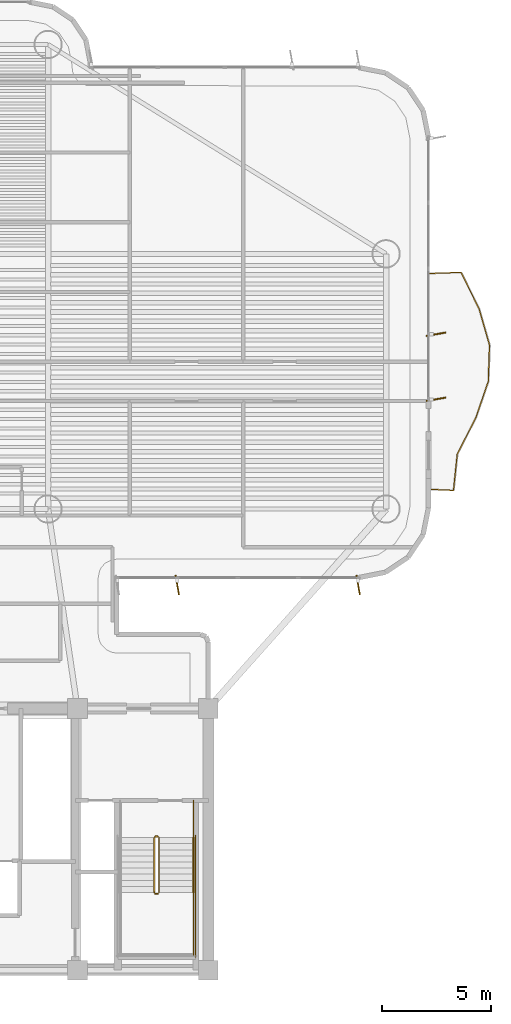
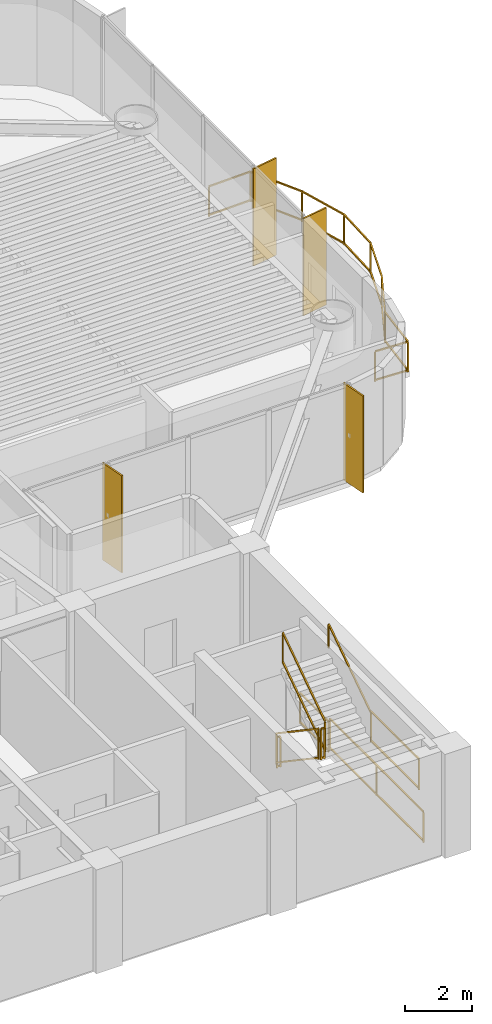
# One storey, part 15 of 16: 9 railings, 4 shading devices.
"""IFC4 building model written with IfcOpenShell, lengths in metres."""

from ifc_helpers import new_model, si_unit, direction, frame, origin, origin_2d, place, context, subcontext, project, spatial, rectangle, extrude, source, transform, mapped, material, layer, layer_set, material_profile, profile_set, type_object, element, save


model = new_model("IFC4")

# Units and contexts
model_context = context("Model", 3, precision=1e-05, world=origin(), true_north=direction((0.0, 1.0)))
body_context = subcontext(model_context, "Body", "Model", "MODEL_VIEW")
ifc_project = project(units=[si_unit("LENGTHUNIT", "METRE"), si_unit("AREAUNIT", "SQUARE_METRE"), si_unit("VOLUMEUNIT", "CUBIC_METRE"), si_unit("PLANEANGLEUNIT", "RADIAN"), si_unit("MASSUNIT", "GRAM", prefix="KILO")], contexts=[model_context])

# Site, building, storey
site_placement = place(None, origin())
site = spatial("IfcSite", under=ifc_project, at=site_placement, CompositionType="ELEMENT")
building_placement = place(site_placement, origin())
building = spatial("IfcBuilding", under=site, at=building_placement, Name="Brelvock Crest Care Tower", CompositionType="ELEMENT")
storey_placement = place(building_placement, frame((0.0, 0.0, 101.159912109375)))
storey = spatial("IfcBuildingStorey", under=building, at=storey_placement, Name="L25", CompositionType="ELEMENT", Elevation=101.159912109375)

# Railings
ifc_material_1 = material(Name="Dark Glass Double Glazed Low-E", Category="glass")
ifc_layer_1 = layer(ifc_material_1, 0.06005859375, Name="RL-BAL1")
ifc_layer_set_1 = layer_set([ifc_layer_1], Name="Dark Glass Double Glazed Low-E")
railing_type_1 = type_object("IfcRailingType", Name="RL-BAL1", PredefinedType="BALUSTRADE", material=ifc_layer_set_1)
railing_1_placement = place(storey_placement, frame((58.139892578125, 28.050048828125, 0.004150390625)))
element("IfcRailing", 1, at=railing_1_placement, inside=storey, type_object=railing_type_1, Name="L25 Safety Balustrade WB-E", PredefinedType="BALUSTRADE", context=body_context, shape_type="SweptSolid", body=[
    extrude(rectangle(XDim=0.048095703125, YDim=0.048095703125, at=origin_2d()), frame((0.001953125, 0.0, 1.09619140625), z_axis=(0.998966710972, -0.045447886318, 0.0), x_axis=(0.045447886318, 0.998966710972, 0.0)), (0.0, 0.0, 1.0), 1.09716796875),
    extrude(rectangle(XDim=0.048095703125, YDim=0.048095703125, at=origin_2d()), frame((0.001953125, 0.0, 0.054931640625), z_axis=(0.998966710972, -0.045447886318, 0.0), x_axis=(0.045447886318, 0.998966710972, 0.0)), (0.0, 0.0, 1.0), 1.09716796875),
    extrude(rectangle(XDim=0.048095703125, YDim=0.048095703125, at=origin_2d()), frame((1.100341796875, -0.048095703125, 1.09619140625), z_axis=(0.103729188721, 0.994605577808, 0.0), x_axis=(-0.994605577808, 0.103729188721, 0.0)), (0.0, 0.0, 1.0), 1.671875),
    extrude(rectangle(XDim=0.048095703125, YDim=0.048095703125, at=origin_2d()), frame((1.100341796875, -0.048095703125, 0.054931640625), z_axis=(0.103729188721, 0.994605577808, 0.0), x_axis=(-0.994605577808, 0.103729188721, 0.0)), (0.0, 0.0, 1.0), 1.671875),
    extrude(rectangle(XDim=0.048095703125, YDim=0.048095703125, at=origin_2d()), frame((1.27490234375, 1.618408203125, 1.09619140625), z_axis=(0.454816788854, 0.890585026023, 0.0), x_axis=(-0.890585026023, 0.454816788854, 0.0)), (0.0, 0.0, 1.0), 1.8671875),
    extrude(rectangle(XDim=0.048095703125, YDim=0.048095703125, at=origin_2d()), frame((1.27490234375, 1.618408203125, 0.054931640625), z_axis=(0.454816788854, 0.890585026023, 0.0), x_axis=(-0.890585026023, 0.454816788854, 0.0)), (0.0, 0.0, 1.0), 1.8671875),
    extrude(rectangle(XDim=0.048095703125, YDim=0.048095703125, at=origin_2d()), frame((2.125732421875, 3.28515625, 1.09619140625), z_axis=(0.324735154132, 0.945804990297, 0.0), x_axis=(-0.945804990297, 0.324735154132, 0.0)), (0.0, 0.0, 1.0), 1.75830078125),
    extrude(rectangle(XDim=0.048095703125, YDim=0.048095703125, at=origin_2d()), frame((2.125732421875, 3.28515625, 0.054931640625), z_axis=(0.324735154132, 0.945804990297, 0.0), x_axis=(-0.945804990297, 0.324735154132, 0.0)), (0.0, 0.0, 1.0), 1.75830078125),
    extrude(rectangle(XDim=0.048095703125, YDim=0.048095703125, at=origin_2d()), frame((2.697265625, 4.951904296875, 1.09619140625), z_axis=(0.034109333385, 0.999418107388, 0.0), x_axis=(-0.999418107388, 0.034109333385, 0.0)), (0.0, 0.0, 1.0), 1.663818359375),
    extrude(rectangle(XDim=0.048095703125, YDim=0.048095703125, at=origin_2d()), frame((2.697265625, 4.951904296875, 0.054931640625), z_axis=(0.034109333385, 0.999418107388, 0.0), x_axis=(-0.999418107388, 0.034109333385, 0.0)), (0.0, 0.0, 1.0), 1.663818359375),
    extrude(rectangle(XDim=0.048095703125, YDim=0.048095703125, at=origin_2d()), frame((2.753662109375, 6.61865234375, 1.09619140625), z_axis=(-0.277935062116, 0.960599865317, 0.0), x_axis=(-0.960599865317, -0.277935062116, 0.0)), (0.0, 0.0, 1.0), 1.73095703125),
    extrude(rectangle(XDim=0.048095703125, YDim=0.048095703125, at=origin_2d()), frame((2.753662109375, 6.61865234375, 0.054931640625), z_axis=(-0.277935062116, 0.960599865317, 0.0), x_axis=(-0.960599865317, -0.277935062116, 0.0)), (0.0, 0.0, 1.0), 1.73095703125),
    extrude(rectangle(XDim=0.048095703125, YDim=0.048095703125, at=origin_2d()), frame((2.27099609375, 8.284912109375, 1.09619140625), z_axis=(-0.442214310765, 0.896909417586, 0.0), x_axis=(-0.896909417586, -0.442214310765, 0.0)), (0.0, 0.0, 1.0), 1.854248046875),
    extrude(rectangle(XDim=0.048095703125, YDim=0.048095703125, at=origin_2d()), frame((2.27099609375, 8.284912109375, 0.054931640625), z_axis=(-0.442214310765, 0.896909417586, 0.0), x_axis=(-0.896909417586, -0.442214310765, 0.0)), (0.0, 0.0, 1.0), 1.854248046875),
    extrude(rectangle(XDim=0.048095703125, YDim=0.048095703125, at=origin_2d()), frame((1.4482421875, 9.949951171875, 1.09619140625), z_axis=(-0.999404999824, -0.034491249994, 0.0), x_axis=(0.034491249994, -0.999404999824, 0.0)), (0.0, 0.0, 1.0), 1.447021484375),
    extrude(rectangle(XDim=0.048095703125, YDim=0.048095703125, at=origin_2d()), frame((1.4482421875, 9.949951171875, 0.054931640625), z_axis=(-0.999404999824, -0.034491249994, 0.0), x_axis=(0.034491249994, -0.999404999824, 0.0)), (0.0, 0.0, 1.0), 1.447021484375),
    extrude(rectangle(XDim=0.0419921875, YDim=0.0419921875, at=origin_2d()), origin(), (0.0, 0.0, 1.0), 1.070068359375),
    extrude(rectangle(XDim=0.0419921875, YDim=0.0419921875, at=origin_2d()), frame((1.10009765625, -0.050048828125, 0.0)), (0.0, 0.0, 1.0), 1.070068359375),
    extrude(rectangle(XDim=0.0419921875, YDim=0.0419921875, at=origin_2d()), frame((1.27392578125, 1.61669921875, 0.0)), (0.0, 0.0, 1.0), 1.070068359375),
    extrude(rectangle(XDim=0.0419921875, YDim=0.0419921875, at=origin_2d()), frame((2.125, 3.283203125, 0.0)), (0.0, 0.0, 1.0), 1.070068359375),
    extrude(rectangle(XDim=0.0419921875, YDim=0.0419921875, at=origin_2d()), frame((2.697265625, 4.949951171875, 0.0)), (0.0, 0.0, 1.0), 1.070068359375),
    extrude(rectangle(XDim=0.0419921875, YDim=0.0419921875, at=origin_2d()), frame((2.754150390625, 6.61669921875, 0.0)), (0.0, 0.0, 1.0), 1.070068359375),
    extrude(rectangle(XDim=0.0419921875, YDim=0.0419921875, at=origin_2d()), frame((2.27197265625, 8.283203125, 0.0)), (0.0, 0.0, 1.0), 1.070068359375),
    extrude(rectangle(XDim=0.0419921875, YDim=0.0419921875, at=origin_2d()), frame((1.4501953125, 9.949951171875, 0.0)), (0.0, 0.0, 1.0), 1.070068359375),
    extrude(rectangle(XDim=0.0419921875, YDim=0.0419921875, at=origin_2d()), frame((0.0, 9.89990234375, 0.0)), (0.0, 0.0, 1.0), 1.070068359375),
])
ifc_material_2 = material(Name="Steel Grade 350", Category="steel")
ifc_layer_2 = layer(ifc_material_2, 0.050048828125, Name="RL-STG1")
ifc_layer_set_2 = layer_set([ifc_layer_2], Name="Steel Grade 350")
railing_type_2 = type_object("IfcRailingType", Name="RL-STG1", PredefinedType="GUARDRAIL", material=ifc_layer_set_2)
railing_2_placement = place(storey_placement, frame((45.52001953125, 12.080078125, 0.189208984375)))
element("IfcRailing", 2, at=railing_2_placement, inside=storey, type_object=railing_type_2, Name="L25 ST-2 stair guard 1", PredefinedType="GUARDRAIL", context=body_context, shape_type="SweptSolid", body=[
    extrude(rectangle(XDim=0.048095703125, YDim=0.048095703125, at=origin_2d()), frame((0.0, -0.001708984375, 1.116943359375), z_axis=(0.0, -0.828861706735, 0.559453546873), x_axis=(1.0, 0.0, 0.0)), (0.0, 0.0, 1.0), 3.036376953125),
    extrude(rectangle(XDim=0.048095703125, YDim=0.048095703125, at=origin_2d()), frame((0.0, -0.001708984375, 0.05615234375), z_axis=(0.0, -0.828861706735, 0.559453546873), x_axis=(1.0, 0.0, 0.0)), (0.0, 0.0, 1.0), 3.036376953125),
    extrude(rectangle(XDim=0.0419921875, YDim=0.0419921875, at=origin_2d()), origin(), (0.0, 0.0, 1.0), 1.08984375),
    extrude(rectangle(XDim=0.0419921875, YDim=0.0419921875, at=origin_2d()), frame((0.0, -2.52001953125, 1.700927734375)), (0.0, 0.0, 1.0), 1.08984375),
])
railing_3_placement = place(storey_placement, frame((45.570068359375, 9.510009765625, 1.89013671875)))
element("IfcRailing", 3, at=railing_3_placement, inside=storey, type_object=railing_type_2, Name="L25 ST-2 stair guard 2", PredefinedType="GUARDRAIL", context=body_context, shape_type="SweptSolid", body=[
    extrude(rectangle(XDim=0.048095703125, YDim=0.048095703125, at=origin_2d()), frame((0.001953125, 0.0, 1.11572265625), z_axis=(1.0, 0.0, 0.0), x_axis=(0.0, 1.0, 0.0)), (0.0, 0.0, 1.0), 0.115966796875),
    extrude(rectangle(XDim=0.048095703125, YDim=0.048095703125, at=origin_2d()), frame((0.001953125, 0.0, 0.054931640625), z_axis=(1.0, 0.0, 0.0), x_axis=(0.0, 1.0, 0.0)), (0.0, 0.0, 1.0), 0.115966796875),
    extrude(rectangle(XDim=0.0419921875, YDim=0.0419921875, at=origin_2d()), origin(), (0.0, 0.0, 1.0), 1.08984375),
    extrude(rectangle(XDim=0.0419921875, YDim=0.0419921875, at=origin_2d()), frame((0.119873046875, 0.0, 0.0)), (0.0, 0.0, 1.0), 1.08984375),
])
railing_4_placement = place(storey_placement, frame((47.320068359375, 9.56005859375, 1.89013671875)))
element("IfcRailing", 4, at=railing_4_placement, inside=storey, type_object=railing_type_2, Name="L25 ST-2 stair guard 4", PredefinedType="GUARDRAIL", context=body_context, shape_type="SweptSolid", body=[
    extrude(rectangle(XDim=0.048095703125, YDim=0.048095703125, at=origin_2d()), frame((0.0, -0.001953125, 1.11572265625), z_axis=(0.0, -1.0, 0.0), x_axis=(1.0, 0.0, 0.0)), (0.0, 0.0, 1.0), 2.856201171875),
    extrude(rectangle(XDim=0.048095703125, YDim=0.048095703125, at=origin_2d()), frame((0.0, -0.001953125, 0.054931640625), z_axis=(0.0, -1.0, 0.0), x_axis=(1.0, 0.0, 0.0)), (0.0, 0.0, 1.0), 2.856201171875),
    extrude(rectangle(XDim=0.0419921875, YDim=0.0419921875, at=origin_2d()), origin(), (0.0, 0.0, 1.0), 1.08984375),
    extrude(rectangle(XDim=0.0419921875, YDim=0.0419921875, at=origin_2d()), frame((0.0, -2.860107421875, 0.0)), (0.0, 0.0, 1.0), 1.08984375),
])
railing_5_placement = place(storey_placement, frame((45.739990234375, 9.56005859375, 2.0791015625)))
element("IfcRailing", 5, at=railing_5_placement, inside=storey, type_object=railing_type_2, Name="L25 ST-2 stair guard 6", PredefinedType="GUARDRAIL", context=body_context, shape_type="SweptSolid", body=[
    extrude(rectangle(XDim=0.048095703125, YDim=0.048095703125, at=origin_2d()), frame((0.0, 0.001708984375, 1.116943359375), z_axis=(0.0, 0.828861706735, 0.559453546873), x_axis=(-1.0, 0.0, 0.0)), (0.0, 0.0, 1.0), 3.036376953125),
    extrude(rectangle(XDim=0.048095703125, YDim=0.048095703125, at=origin_2d()), frame((0.0, 0.001708984375, 0.05615234375), z_axis=(0.0, 0.828861706735, 0.559453546873), x_axis=(-1.0, 0.0, 0.0)), (0.0, 0.0, 1.0), 3.036376953125),
    extrude(rectangle(XDim=0.0419921875, YDim=0.0419921875, at=origin_2d()), origin(), (0.0, 0.0, 1.0), 1.08984375),
    extrude(rectangle(XDim=0.0419921875, YDim=0.0419921875, at=origin_2d()), frame((0.0, 2.52001953125, 1.700927734375)), (0.0, 0.0, 1.0), 1.08984375),
])
railing_6_placement = place(storey_placement, frame((45.570068359375, 12.1298828125, 0.0)))
element("IfcRailing", 6, at=railing_6_placement, inside=storey, type_object=railing_type_2, Name="L25 ST-2 stair guard 7", PredefinedType="GUARDRAIL", context=body_context, shape_type="SweptSolid", body=[
    extrude(rectangle(XDim=0.048095703125, YDim=0.048095703125, at=origin_2d()), frame((0.001953125, 0.0, 1.11572265625), z_axis=(1.0, 0.0, 0.0), x_axis=(0.0, 1.0, 0.0)), (0.0, 0.0, 1.0), 0.115966796875),
    extrude(rectangle(XDim=0.048095703125, YDim=0.048095703125, at=origin_2d()), frame((0.001953125, 0.0, 0.054931640625), z_axis=(1.0, 0.0, 0.0), x_axis=(0.0, 1.0, 0.0)), (0.0, 0.0, 1.0), 0.115966796875),
    extrude(rectangle(XDim=0.0419921875, YDim=0.0419921875, at=origin_2d()), origin(), (0.0, 0.0, 1.0), 1.08984375),
    extrude(rectangle(XDim=0.0419921875, YDim=0.0419921875, at=origin_2d()), frame((0.119873046875, 0.0, 0.0)), (0.0, 0.0, 1.0), 1.08984375),
])
railing_7_placement = place(storey_placement, frame((47.320068359375, 13.780029296875, 0.0)))
element("IfcRailing", 7, at=railing_7_placement, inside=storey, type_object=railing_type_2, Name="L25 ST-2 stair guard 9", PredefinedType="GUARDRAIL", context=body_context, shape_type="SweptSolid", body=[
    extrude(rectangle(XDim=0.048095703125, YDim=0.048095703125, at=origin_2d()), frame((0.0, -0.001953125, 1.11572265625), z_axis=(0.0, -1.0, 0.0), x_axis=(1.0, 0.0, 0.0)), (0.0, 0.0, 1.0), 1.696044921875),
    extrude(rectangle(XDim=0.048095703125, YDim=0.048095703125, at=origin_2d()), frame((0.0, -0.001953125, 0.054931640625), z_axis=(0.0, -1.0, 0.0), x_axis=(1.0, 0.0, 0.0)), (0.0, 0.0, 1.0), 1.696044921875),
    extrude(rectangle(XDim=0.0419921875, YDim=0.0419921875, at=origin_2d()), origin(), (0.0, 0.0, 1.0), 1.08984375),
    extrude(rectangle(XDim=0.0419921875, YDim=0.0419921875, at=origin_2d()), frame((0.0, -1.699951171875, 0.0)), (0.0, 0.0, 1.0), 1.08984375),
])
railing_8_placement = place(storey_placement, frame((47.419921875, 12.179931640625, 0.0)))
element("IfcRailing", 8, at=railing_8_placement, inside=storey, type_object=railing_type_2, Name="L25 ST-2 stair guard 11", PredefinedType="GUARDRAIL", context=body_context, shape_type="SweptSolid", body=[
    extrude(rectangle(XDim=0.048095703125, YDim=0.048095703125, at=origin_2d()), frame((0.0, -0.001953125, 1.11572265625), z_axis=(0.0, -1.0, 0.0), x_axis=(1.0, 0.0, 0.0)), (0.0, 0.0, 1.0), 5.575927734375),
    extrude(rectangle(XDim=0.048095703125, YDim=0.048095703125, at=origin_2d()), frame((0.0, -0.001953125, 0.054931640625), z_axis=(0.0, -1.0, 0.0), x_axis=(1.0, 0.0, 0.0)), (0.0, 0.0, 1.0), 5.575927734375),
    extrude(rectangle(XDim=0.0419921875, YDim=0.0419921875, at=origin_2d()), origin(), (0.0, 0.0, 1.0), 1.08984375),
    extrude(rectangle(XDim=0.0419921875, YDim=0.0419921875, at=origin_2d()), frame((0.0, -2.7900390625, 0.0)), (0.0, 0.0, 1.0), 1.08984375),
    extrude(rectangle(XDim=0.0419921875, YDim=0.0419921875, at=origin_2d()), frame((0.0, -5.579833984375, 0.0)), (0.0, 0.0, 1.0), 1.08984375),
])
ifc_layer_3 = layer(ifc_material_2, 0.048095703125, Name="RL-STH1")
ifc_layer_set_3 = layer_set([ifc_layer_3], Name="Steel Grade 350")
railing_type_3 = type_object("IfcRailingType", Name="RL-STH1", PredefinedType="HANDRAIL", material=ifc_layer_set_3)
railing_9_placement = place(storey_placement, frame((47.320068359375, 9.56005859375, 2.0791015625)))
element("IfcRailing", 9, at=railing_9_placement, inside=storey, type_object=railing_type_3, Name="L25 ST-2 stair handrail 2", PredefinedType="HANDRAIL", context=body_context, shape_type="SweptSolid", body=[
    extrude(rectangle(XDim=0.048095703125, YDim=0.048095703125, at=origin_2d()), frame((0.0, 0.001708984375, 0.876953125), z_axis=(0.0, 0.828861706735, 0.559453546873), x_axis=(-1.0, 0.0, 0.0)), (0.0, 0.0, 1.0), 3.036376953125),
    extrude(rectangle(XDim=0.0419921875, YDim=0.0419921875, at=origin_2d()), origin(), (0.0, 0.0, 1.0), 0.849853515625),
    extrude(rectangle(XDim=0.0419921875, YDim=0.0419921875, at=origin_2d()), frame((0.0, 2.52001953125, 1.700927734375)), (0.0, 0.0, 1.0), 0.849853515625),
])

# Shading devices
ifc_material_3 = material(Name="Aluminium 6063-T6", Category="aluminium")
ifc_material_profile = material_profile(ifc_material_3, rectangle(XDim=0.054931640625, YDim=0.89990234375, at=origin_2d()), Name="FIN55x900")
ifc_profile_set = profile_set([ifc_material_profile], Name="Aluminium 6063-T6")
shading_device_type = type_object("IfcShadingDeviceType", Name="SHD-FIN1", PredefinedType="USERDEFINED", material=ifc_profile_set)
shared_shape = source(origin(), body_context, "Body", "SweptSolid", [
    extrude(rectangle(XDim=0.054931640625, YDim=0.89990234375, at=origin_2d()), origin(), (0.0, 0.0, 1.0), 3.530029296875),
])
for number, where, z_axis, x_axis, name in (
    (10, (58.43994140625, 35.16259765625, 0.0), (0.0, 0.0, 1.0), (0.173648177667, -0.984807753012, 0.0), "L25 Vertical Sunshade Fin E39A-04"),
    (11, (58.43994140625, 32.179931640625, 0.0), (0.0, 0.0, 1.0), (0.173648177667, -0.984807753012, 0.0), "L25 Vertical Sunshade Fin E39A-05"),
    (12, (54.8701171875, 23.659912109375, 0.0), (0.0, 0.0, 1.0), (-0.984807753012, -0.173648177667, 0.0), "L25 Vertical Sunshade Fin E44-01"),
    (13, (46.574951171875, 23.659912109375, 0.0), (0.0, 0.0, 1.0), (-0.984807753012, -0.173648177667, 0.0), "L25 Vertical Sunshade Fin E44-04"),
):
    element("IfcShadingDevice", number, at=place(storey_placement, frame(where, z_axis=z_axis, x_axis=x_axis)), inside=storey, type_object=shading_device_type, Name=name, ObjectType="FIN", PredefinedType="USERDEFINED", context=body_context, shape_type="MappedRepresentation", body=[
        mapped(shared_shape, transform((0.0, 0.0, 0.0), x_axis=(1.0, 0.0, 0.0), y_axis=(0.0, 1.0, 0.0), z_axis=(0.0, 0.0, 1.0), scale=1.0)),
    ])

save(model, "model.ifc")
